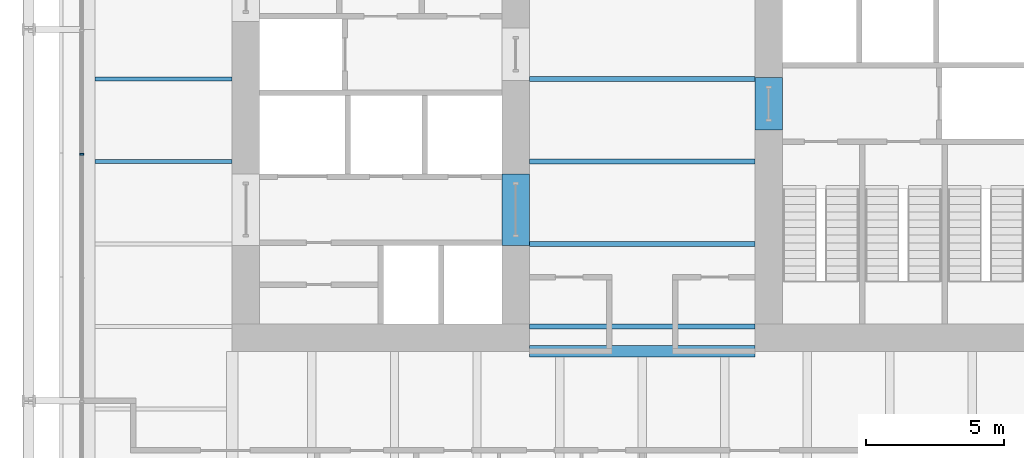
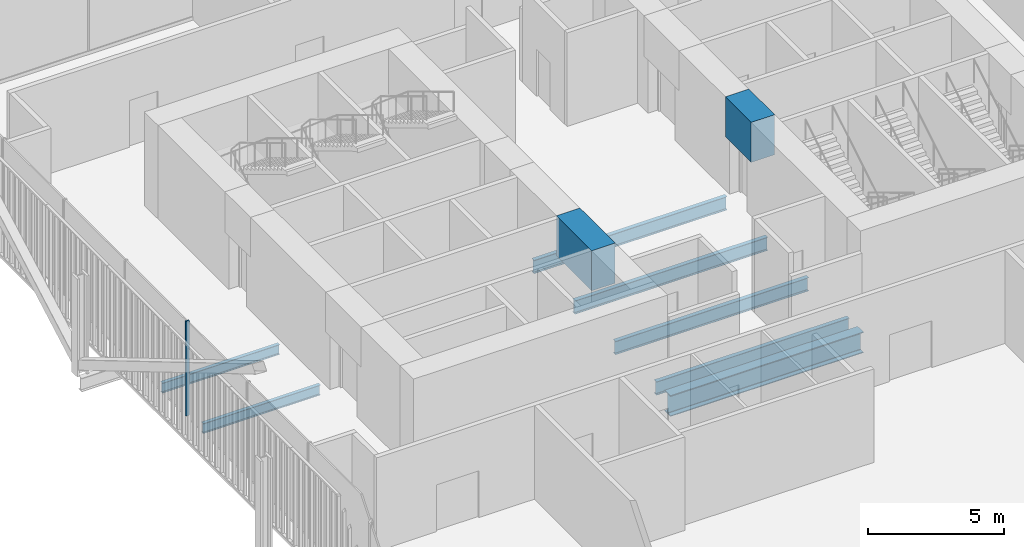
# One storey, part 7 of 21: 9 beams, 1 member, 1 element without a shape of its own.
"""IFC4 building model written with IfcOpenShell, lengths in metres."""

from ifc_helpers import new_model, si_unit, direction, frame, origin, origin_2d, place, context, subcontext, project, spatial, rectangle, i_section, extrude, material, layer, layer_set, material_profile, profile_set, type_object, element, aggregate, save


model = new_model("IFC4")

# Units and contexts
model_context = context("Model", 3, precision=1e-05, world=origin(), true_north=direction((0.0, 1.0)))
body_context = subcontext(model_context, "Body", "Model", "MODEL_VIEW")
ifc_project = project(units=[si_unit("LENGTHUNIT", "METRE"), si_unit("AREAUNIT", "SQUARE_METRE"), si_unit("VOLUMEUNIT", "CUBIC_METRE"), si_unit("PLANEANGLEUNIT", "RADIAN"), si_unit("MASSUNIT", "GRAM", prefix="KILO")], contexts=[model_context])

# Site, building, storey
site_placement = place(None, origin())
site = spatial("IfcSite", under=ifc_project, at=site_placement, CompositionType="ELEMENT")
building_placement = place(site_placement, origin())
building = spatial("IfcBuilding", under=site, at=building_placement, Name="Millrace Tower", CompositionType="ELEMENT")
storey_placement = place(building_placement, frame((0.0, 0.0, 95.199951171875)))
storey = spatial("IfcBuildingStorey", under=building, at=storey_placement, Name="L21", CompositionType="ELEMENT", Elevation=95.199951171875)

# Curtain wall, member
ifc_material_1 = material(Name="Aluminium and glass", Category="aluminium")
ifc_layer = layer(ifc_material_1, 0.14990234375)
ifc_layer_set = layer_set([ifc_layer], Name="Aluminium and glass")
curtain_wall_type = type_object("IfcCurtainWallType", Name="CW-3 telecom floor curtain wall", PredefinedType="NOTDEFINED", material=ifc_layer_set)
curtain_wall_placement = place(storey_placement, origin())
curtain_wall = element("IfcCurtainWall", 1, at=curtain_wall_placement, inside=storey, type_object=curtain_wall_type, Name="Curtain wall B-F08 L21", PredefinedType="NOTDEFINED")
ifc_material_2 = material(Name="Aluminium", Category="aluminium")
ifc_material_profile_1 = material_profile(ifc_material_2, rectangle(XDim=0.06494140625, YDim=0.14990234375, at=origin_2d()))
ifc_profile_set_1 = profile_set([ifc_material_profile_1], Name="Aluminium")
member_type = type_object("IfcMemberType", Name="CW-3 telecom floor curtain wall mullion", PredefinedType="MULLION", material=ifc_profile_set_1)
member_placement = place(storey_placement, frame((-20.375, -2.732421875, 0.150146484375), z_axis=(0.0, 0.0, 1.0), x_axis=(0.0, -1.0, 0.0)))
member = element("IfcMember", 2, at=member_placement, type_object=member_type, Name="CW3 mullion B-F08.5", PredefinedType="MULLION", context=body_context, shape_type="SweptSolid", body=[
    extrude(rectangle(XDim=0.06494140625, YDim=0.14990234375, at=origin_2d()), origin(), (0.0, 0.0, 1.0), 4.25),
])
aggregate(curtain_wall, [member])

# Beams
ifc_material_3 = material(Name="Concrete C80", Category="concrete")
ifc_material_profile_2 = material_profile(ifc_material_3, rectangle(XDim=1.0, YDim=1.800048828125, at=origin_2d()))
ifc_profile_set_2 = profile_set([ifc_material_profile_2], Name="Concrete C80")
beam_type_1 = type_object("IfcBeamType", Name="Coupling beam 1000 x 1800 Concrete C80, 1300 opening", PredefinedType="BEAM", material=ifc_profile_set_2)
beam_1_placement = place(storey_placement, frame((4.60009765625, 0.050048828125, 3.300048828125), z_axis=(0.0, -1.0, 0.0), x_axis=(1.0, 0.0, 0.0)))
element("IfcBeam", 3, at=beam_1_placement, inside=storey, type_object=beam_type_1, Name="Coupling beam E L21", PredefinedType="BEAM", context=body_context, shape_type="SweptSolid", body=[
    extrude(rectangle(XDim=1.0, YDim=1.800048828125, at=origin_2d()), origin(), (0.0, 0.0, 1.0), 1.900146484375),
])
ifc_material_4 = material(Name="Concrete C80", Category="concrete")
ifc_material_profile_3 = material_profile(ifc_material_4, rectangle(XDim=1.0, YDim=1.800048828125, at=origin_2d()))
ifc_profile_set_3 = profile_set([ifc_material_profile_3], Name="Concrete C80")
beam_type_2 = type_object("IfcBeamType", Name="Coupling beam 1000 x 1800 Concrete C80, 2000 opening", PredefinedType="BEAM", material=ifc_profile_set_3)
beam_2_placement = place(storey_placement, frame((-4.60009765625, -6.050048828125, 3.300048828125), z_axis=(0.0, 1.0, 0.0), x_axis=(-1.0, 0.0, 0.0)))
element("IfcBeam", 4, at=beam_2_placement, inside=storey, type_object=beam_type_2, Name="Coupling beam W L21", PredefinedType="BEAM", context=body_context, shape_type="SweptSolid", body=[
    extrude(rectangle(XDim=1.0, YDim=1.800048828125, at=origin_2d()), origin(), (0.0, 0.0, 1.0), 2.60009765625),
])
ifc_material_5 = material(Name="Steel ASTM A992 Grade 50", Category="steel")
ifc_material_profile_4 = material_profile(ifc_material_5, i_section(OverallWidth=0.15234375, OverallDepth=0.449462890625, WebThickness=0.007568359375, FlangeThickness=0.0107421875, FilletRadius=0.01025390625, at=origin_2d()))
ifc_profile_set_4 = profile_set([ifc_material_profile_4], Name="Steel ASTM A992 Grade 50")
beam_type_3 = type_object("IfcBeamType", Name="Floor beam W18x35", PredefinedType="JOIST", material=ifc_profile_set_4)
for number, where, z_axis, x_axis, name in (
    (5, (-19.880859375, -3.0, -0.4248046875), (1.0, 0.0, 0.0), (0.0, 1.0, 0.0), "BM-B-L21-S1-S020"),
    (6, (-19.880859375, 0.0, -0.4248046875), (1.0, 0.0, 0.0), (0.0, 1.0, 0.0), "BM-B-L21-S1-S023"),
):
    element("IfcBeam", number, at=place(storey_placement, frame(where, z_axis=z_axis, x_axis=x_axis)), inside=storey, type_object=beam_type_3, Name=name, PredefinedType="JOIST", context=body_context, shape_type="SweptSolid", body=[
        extrude(i_section(OverallWidth=0.15234375, OverallDepth=0.449462890625, WebThickness=0.007568359375, FlangeThickness=0.0107421875, FilletRadius=0.01025390625, at=origin_2d()), origin(), (0.0, 0.0, 1.0), 4.98095703125),
    ])
ifc_material_6 = material(Name="Steel ASTM A992 Grade 50", Category="steel")
ifc_material_profile_5 = material_profile(ifc_material_6, i_section(OverallWidth=0.177978515625, OverallDepth=0.599365234375, WebThickness=0.010009765625, FlangeThickness=0.012939453125, FilletRadius=0.012939453125, at=origin_2d()))
ifc_profile_set_5 = profile_set([ifc_material_profile_5], Name="Steel ASTM A992 Grade 50")
beam_type_4 = type_object("IfcBeamType", Name="Floor beam W24x55", PredefinedType="JOIST", material=ifc_profile_set_5)
for number, where, z_axis, x_axis, name in (
    (7, (-4.10009765625, -9.0, -0.499755859375), (1.0, 0.0, 0.0), (0.0, 1.0, 0.0), "BM-B-L21-S1-S013"),
    (8, (-4.10009765625, -6.0, -0.499755859375), (1.0, 0.0, 0.0), (0.0, 1.0, 0.0), "BM-B-L21-S1-S016"),
    (9, (-4.10009765625, -3.0, -0.499755859375), (1.0, 0.0, 0.0), (0.0, 1.0, 0.0), "BM-B-L21-S1-S019"),
    (10, (-4.10009765625, 0.0, -0.499755859375), (1.0, 0.0, 0.0), (0.0, 1.0, 0.0), "BM-B-L21-S1-S022"),
):
    element("IfcBeam", number, at=place(storey_placement, frame(where, z_axis=z_axis, x_axis=x_axis)), inside=storey, type_object=beam_type_4, Name=name, PredefinedType="JOIST", context=body_context, shape_type="SweptSolid", body=[
        extrude(i_section(OverallWidth=0.177978515625, OverallDepth=0.599365234375, WebThickness=0.010009765625, FlangeThickness=0.012939453125, FilletRadius=0.012939453125, at=origin_2d()), origin(), (0.0, 0.0, 1.0), 8.2001953125),
    ])
ifc_material_7 = material(Name="Steel ASTM A992 Grade 50", Category="steel")
ifc_material_profile_6 = material_profile(ifc_material_7, i_section(OverallWidth=0.421630859375, OverallDepth=0.937255859375, WebThickness=0.021240234375, FlangeThickness=0.03662109375, FilletRadius=0.024169921875, at=origin_2d()))
ifc_profile_set_6 = profile_set([ifc_material_profile_6], Name="Steel ASTM A992 Grade 50")
beam_type_5 = type_object("IfcBeamType", Name="Girder short span W36x262", PredefinedType="BEAM", material=ifc_profile_set_6)
beam_3_placement = place(storey_placement, frame((-4.10009765625, -9.89990234375, -0.668701171875), z_axis=(1.0, 0.0, 0.0), x_axis=(0.0, 1.0, 0.0)))
element("IfcBeam", 11, at=beam_3_placement, inside=storey, type_object=beam_type_5, Name="BM-B-L21-S1-G063", PredefinedType="BEAM", context=body_context, shape_type="SweptSolid", body=[
    extrude(i_section(OverallWidth=0.421630859375, OverallDepth=0.937255859375, WebThickness=0.021240234375, FlangeThickness=0.03662109375, FilletRadius=0.024169921875, at=origin_2d()), origin(), (0.0, 0.0, 1.0), 8.2001953125),
])

save(model, "model.ifc")
